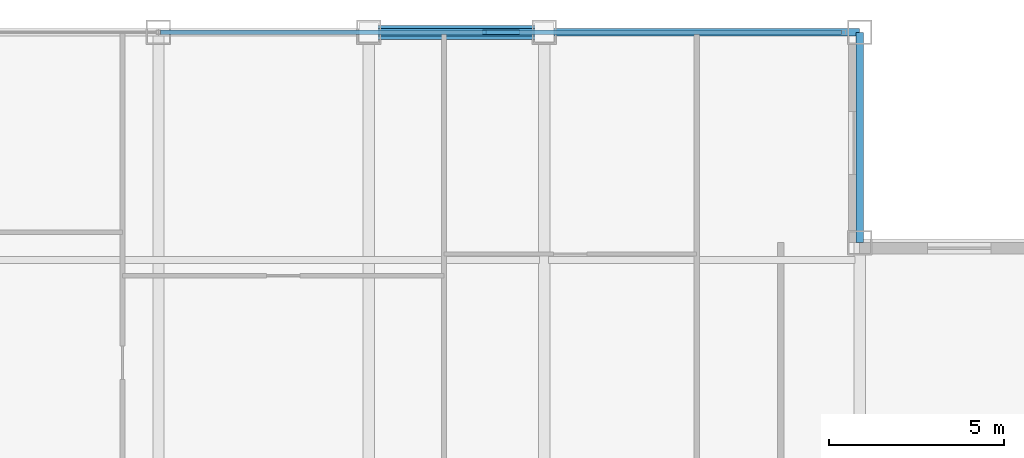
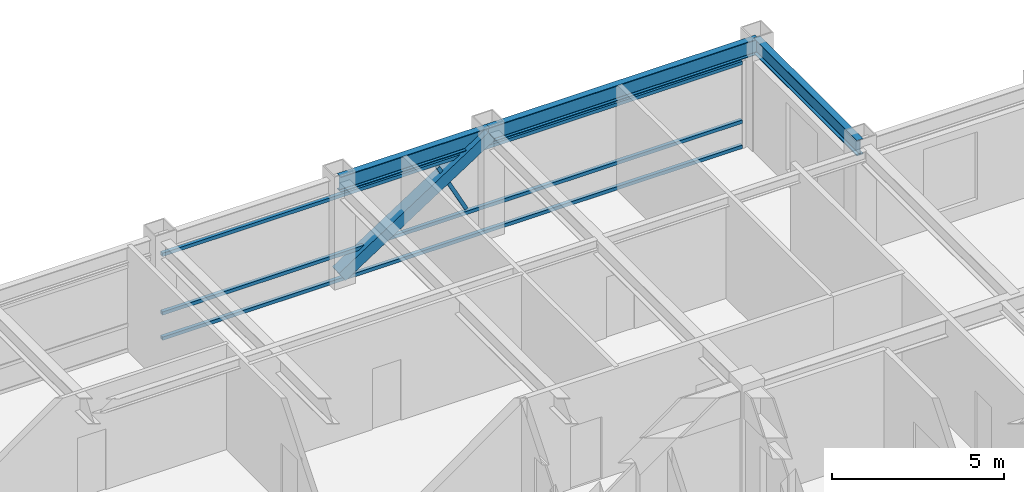
# One storey, part 21 of 29: 5 members, 3 beams, 1 element without a shape of its own.
"""IFC4 building model written with IfcOpenShell, lengths in metres."""

from ifc_helpers import new_model, si_unit, direction, frame, origin, origin_2d, place, context, subcontext, project, spatial, hollow_rectangle, i_section, extrude, source, transform, mapped, material, material_profile, profile_set, type_object, element, aggregate, save


model = new_model("IFC4")

# Units and contexts
model_context = context("Model", 3, precision=1e-05, world=origin(), true_north=direction((0.0, 1.0)))
body_context = subcontext(model_context, "Body", "Model", "MODEL_VIEW")
ifc_project = project(units=[si_unit("LENGTHUNIT", "METRE"), si_unit("AREAUNIT", "SQUARE_METRE"), si_unit("VOLUMEUNIT", "CUBIC_METRE"), si_unit("PLANEANGLEUNIT", "RADIAN"), si_unit("MASSUNIT", "GRAM", prefix="KILO")], contexts=[model_context])

# Site, building, storey
site_placement = place(None, origin())
site = spatial("IfcSite", under=ifc_project, at=site_placement, CompositionType="ELEMENT")
building_placement = place(site_placement, origin())
building = spatial("IfcBuilding", under=site, at=building_placement, Name="Khorayat Bourse Tower", CompositionType="ELEMENT")
storey_placement = place(building_placement, frame((0.0, 0.0, 366.300048828125)))
storey = spatial("IfcBuildingStorey", under=building, at=storey_placement, Name="L87", CompositionType="ELEMENT", Elevation=366.300048828125)

# Beams
ifc_material_1 = material(Name="Steel ASTM A992 Grade 50", Category="steel")
ifc_material_profile_1 = material_profile(ifc_material_1, i_section(OverallWidth=0.214111328125, OverallDepth=0.549072265625, WebThickness=0.0146484375, FlangeThickness=0.023681640625, FilletRadius=0.013916015625, at=origin_2d()), Name="W530X138")
ifc_profile_set_1 = profile_set([ifc_material_profile_1], Name="Steel ASTM A992 Grade 50")
beam_type = type_object("IfcBeamType", Name="BM-SPAN-530", PredefinedType="SPANDREL", material=ifc_profile_set_1)
shared_shape_1 = source(origin(), body_context, "Body", "SweptSolid", [
    extrude(i_section(OverallWidth=0.214111328125, OverallDepth=0.549072265625, WebThickness=0.0146484375, FlangeThickness=0.023681640625, FilletRadius=0.013916015625, at=origin_2d()), origin(), (0.0, 0.0, 1.0), 9.0),
])
beam_1_placement = place(storey_placement, frame((11.0, 26.0, 3.46533203125), z_axis=(1.0, 0.0, 0.0), x_axis=(0.0, 1.0, 0.0)))
element("IfcBeam", 1, at=beam_1_placement, inside=storey, type_object=beam_type, Name="L87 BM-SPAN-530 BM-L87-SPN-040", PredefinedType="SPANDREL", context=body_context, shape_type="MappedRepresentation", body=[
    mapped(shared_shape_1, transform((0.0, 0.0, 0.0), scale=1.0)),
])
shared_shape_2 = source(origin(), body_context, "Body", "SweptSolid", [
    extrude(i_section(OverallWidth=0.214111328125, OverallDepth=0.549072265625, WebThickness=0.0146484375, FlangeThickness=0.023681640625, FilletRadius=0.013916015625, at=origin_2d()), origin(), (0.0, 0.0, 1.0), 5.0),
])
beam_2_placement = place(storey_placement, frame((6.0, 26.0, 3.46533203125), z_axis=(1.0, 0.0, 0.0), x_axis=(0.0, 1.0, 0.0)))
element("IfcBeam", 2, at=beam_2_placement, inside=storey, type_object=beam_type, Name="L87 BM-SPAN-530 BM-L87-SPN-041", PredefinedType="SPANDREL", context=body_context, shape_type="MappedRepresentation", body=[
    mapped(shared_shape_2, transform((0.0, 0.0, 0.0), scale=1.0)),
])
shared_shape_3 = source(origin(), body_context, "Body", "SweptSolid", [
    extrude(i_section(OverallWidth=0.214111328125, OverallDepth=0.549072265625, WebThickness=0.0146484375, FlangeThickness=0.023681640625, FilletRadius=0.013916015625, at=origin_2d()), origin(), (0.0, 0.0, 1.0), 6.0),
])
beam_3_placement = place(storey_placement, frame((20.0, 20.0, 3.46533203125), z_axis=(0.0, 1.0, 0.0), x_axis=(-1.0, 0.0, 0.0)))
element("IfcBeam", 3, at=beam_3_placement, inside=storey, type_object=beam_type, Name="L87 BM-SPAN-530 BM-L87-SPN-039", PredefinedType="SPANDREL", context=body_context, shape_type="MappedRepresentation", body=[
    mapped(shared_shape_3, transform((0.0, 0.0, 0.0), scale=1.0)),
])

# Member
ifc_material_2 = material(Name="Steel EN 10025-4 S460M", Category="steel")
ifc_material_profile_2 = material_profile(ifc_material_2, hollow_rectangle(XDim=0.39990234375, YDim=0.39990234375, WallThickness=0.02197265625, at=origin_2d()), Name="HSS 400x400x22")
ifc_profile_set_2 = profile_set([ifc_material_profile_2], Name="Steel EN 10025-4 S460M")
member_type_1 = type_object("IfcMemberType", Name="MBR-TUBE-400", PredefinedType="BRACE", material=ifc_profile_set_2)
shared_shape_4 = source(origin(), body_context, "Body", "SweptSolid", [
    extrude(hollow_rectangle(XDim=0.39990234375, YDim=0.39990234375, WallThickness=0.02197265625, at=origin_2d()), origin(), (0.0, 0.0, 1.0), 5.9580078125),
])
member_1_placement = place(storey_placement, frame((6.0, 26.0, 0.25), z_axis=(0.839210474455, 0.0, 0.543806748364), x_axis=(0.0, 1.0, 0.0)))
element("IfcMember", 4, at=member_1_placement, inside=storey, type_object=member_type_1, Name="L87 Perimeter Tube Brace 04", PredefinedType="BRACE", context=body_context, shape_type="MappedRepresentation", body=[
    mapped(shared_shape_4, transform((0.0, 0.0, 0.0), scale=1.0)),
])

# Curtain wall, members
ifc_material_3 = material(Name="Aluminium EN AW-6063 T6", Category="aluminium")
curtain_wall_type = type_object("IfcCurtainWallType", Name="CW-SYS-04", PredefinedType="NOTDEFINED", material=ifc_material_3)
curtain_wall_placement = place(storey_placement, origin())
curtain_wall = element("IfcCurtainWall", 5, at=curtain_wall_placement, inside=storey, type_object=curtain_wall_type, Name="L87 Curtain Wall CW-L87-N1", PredefinedType="NOTDEFINED")
ifc_material_profile_3 = material_profile(ifc_material_3, hollow_rectangle(XDim=0.1201171875, YDim=0.1201171875, WallThickness=0.0048828125, at=origin_2d()), Name="ALU 120x120x5")
ifc_profile_set_3 = profile_set([ifc_material_profile_3], Name="Aluminium EN AW-6063 T6")
member_type_2 = type_object("IfcMemberType", Name="CWM-DIAG-120", PredefinedType="MULLION", material=ifc_profile_set_3)
shared_shape_5 = source(origin(), body_context, "Body", "SweptSolid", [
    extrude(hollow_rectangle(XDim=0.1201171875, YDim=0.1201171875, WallThickness=0.0048828125, at=origin_2d()), origin(), (0.0, 0.0, 1.0), 2.0341796875),
])
member_2_placement = place(storey_placement, frame((10.24365234375, 26.0, 1.08984375), z_axis=(-0.465696964104, 0.0, 0.884944256789), x_axis=(0.0, -1.0, 0.0)))
member_2 = element("IfcMember", 6, at=member_2_placement, type_object=member_type_2, Name="CW-L87-N1 Faceted Diagonal Mullion 2", PredefinedType="MULLION", context=body_context, shape_type="MappedRepresentation", body=[
    mapped(shared_shape_5, transform((0.0, 0.0, 0.0), scale=1.0)),
])
ifc_material_profile_4 = material_profile(ifc_material_3, hollow_rectangle(XDim=0.1201171875, YDim=0.1201171875, WallThickness=0.0048828125, at=origin_2d()), Name="ALU 120x120x5")
ifc_profile_set_4 = profile_set([ifc_material_profile_4], Name="Aluminium EN AW-6063 T6")
member_type_3 = type_object("IfcMemberType", Name="CWT-HORZ-120", PredefinedType="USERDEFINED", material=ifc_profile_set_4)
shared_shape_6 = source(origin(), body_context, "Body", "SweptSolid", [
    extrude(hollow_rectangle(XDim=0.1201171875, YDim=0.1201171875, WallThickness=0.0048828125, at=origin_2d()), origin(), (0.0, 0.0, 1.0), 19.419921875),
])
member_3_placement = place(storey_placement, frame((0.06005859375, 26.0, 0.06005859375), z_axis=(1.0, 0.0, 0.0), x_axis=(0.0, 1.0, 0.0)))
member_3 = element("IfcMember", 7, at=member_3_placement, type_object=member_type_3, Name="CW-L87-N1 Horizontal Transom 2-1", ObjectType="TRANSOM", PredefinedType="USERDEFINED", context=body_context, shape_type="MappedRepresentation", body=[
    mapped(shared_shape_6, transform((0.0, 0.0, 0.0), scale=1.0)),
])
member_4_placement = place(storey_placement, frame((0.06005859375, 26.0, 0.949951171875), z_axis=(1.0, 0.0, 0.0), x_axis=(0.0, 1.0, 0.0)))
member_4 = element("IfcMember", 8, at=member_4_placement, type_object=member_type_3, Name="CW-L87-N1 Horizontal Transom 2-2", ObjectType="TRANSOM", PredefinedType="USERDEFINED", context=body_context, shape_type="MappedRepresentation", body=[
    mapped(shared_shape_6, transform((0.0, 0.0, 0.0), scale=1.0)),
])
member_5_placement = place(storey_placement, frame((0.06005859375, 26.0, 3.030029296875), z_axis=(1.0, 0.0, 0.0), x_axis=(0.0, 1.0, 0.0)))
member_5 = element("IfcMember", 9, at=member_5_placement, type_object=member_type_3, Name="CW-L87-N1 Horizontal Transom 2-3", ObjectType="TRANSOM", PredefinedType="USERDEFINED", context=body_context, shape_type="MappedRepresentation", body=[
    mapped(shared_shape_6, transform((0.0, 0.0, 0.0), scale=1.0)),
])
aggregate(curtain_wall, [member_3, member_4, member_5, member_2])

save(model, "model.ifc")
